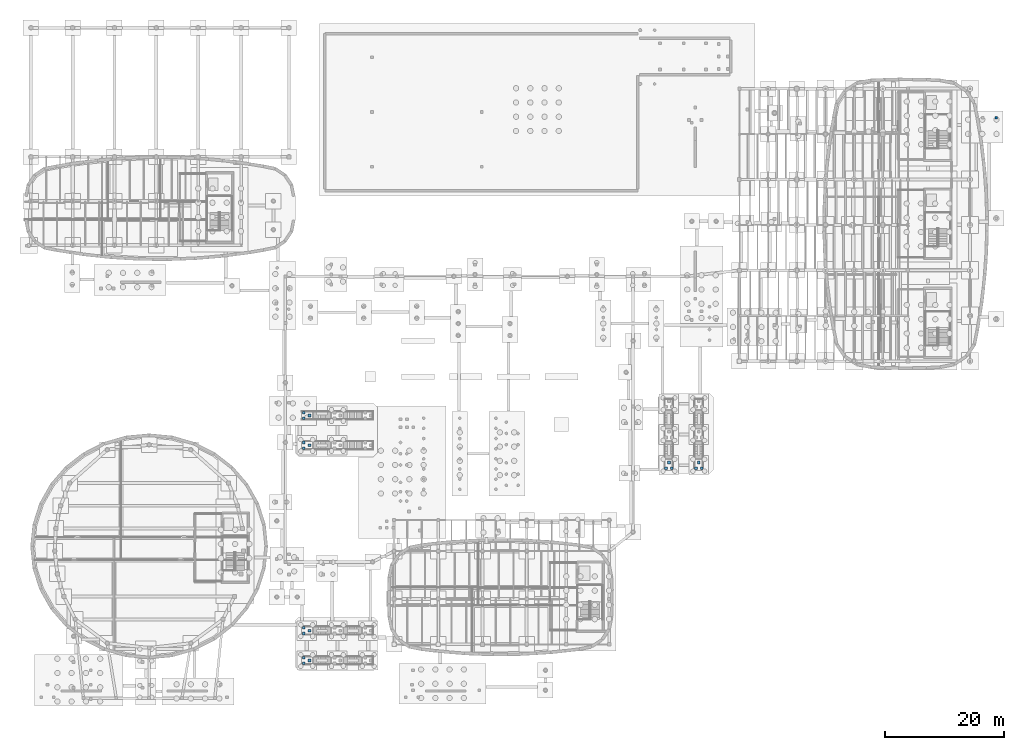
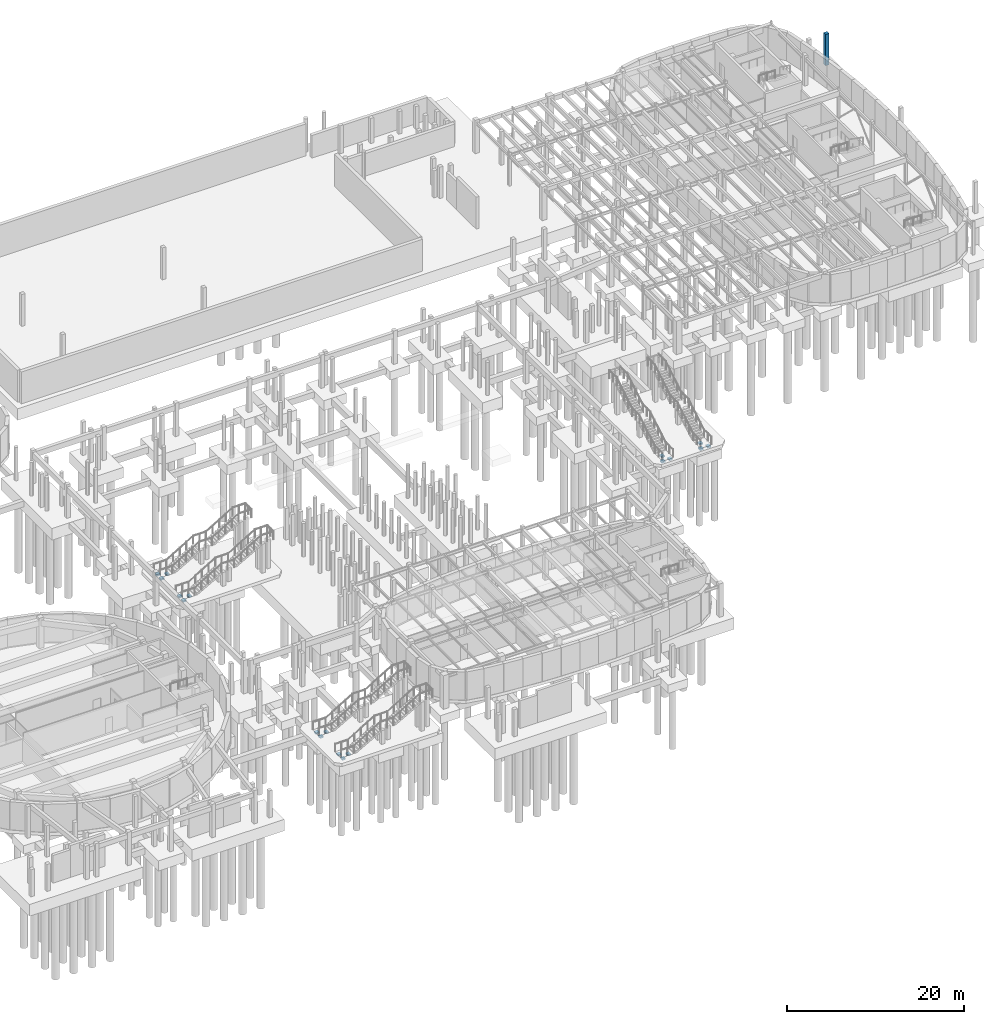
# One storey, part 25 of 45: 19 columns.
"""IFC4 building model written with IfcOpenShell, lengths in metres."""

from ifc_helpers import new_model, si_unit, direction, frame, origin, origin_2d, place, context, subcontext, project, spatial, rectangle, extrude, material, material_profile, profile_set, type_object, element, save


model = new_model("IFC4")

# Units and contexts
model_context = context("Model", 3, precision=1e-05, world=origin(), true_north=direction((0.0, 1.0)))
body_context = subcontext(model_context, "Body", "Model", "MODEL_VIEW")
ifc_project = project(units=[si_unit("LENGTHUNIT", "METRE"), si_unit("AREAUNIT", "SQUARE_METRE"), si_unit("VOLUMEUNIT", "CUBIC_METRE"), si_unit("PLANEANGLEUNIT", "RADIAN"), si_unit("MASSUNIT", "GRAM", prefix="KILO")], contexts=[model_context])

# Site, building, storey
site_placement = place(None, origin())
site = spatial("IfcSite", under=ifc_project, at=site_placement, CompositionType="ELEMENT")
building_placement = place(site_placement, origin())
building = spatial("IfcBuilding", under=site, at=building_placement, Name="Corveleigh Park Community Centre", CompositionType="ELEMENT")
storey_placement = place(building_placement, frame((0.0, 0.0, -4.199951171875)))
storey = spatial("IfcBuildingStorey", under=building, at=storey_placement, Name="B1", CompositionType="ELEMENT", Elevation=-4.199951171875)

# Columns
ifc_material = material(Name="Concrete C40/50", Category="concrete")
ifc_material_profile = material_profile(ifc_material, rectangle(XDim=0.449951171875, YDim=0.449951171875, at=origin_2d()), Name="RC-450x450", Category="concrete")
ifc_profile_set = profile_set([ifc_material_profile], Name="Concrete C40/50")
column_type = type_object("IfcColumnType", Name="COL-RC-450x450", PredefinedType="COLUMN", material=ifc_profile_set)
for number, where, z_axis, x_axis, name in (
    (1, (56.89990234375, 8.02001953125, -0.4150390625), (0.0, 0.0, 1.0), (1.0, 0.0, 0.0), "Promenade ST7 landing pier 1"),
    (2, (56.89990234375, 8.97998046875, -0.4150390625), (0.0, 0.0, 1.0), (1.0, 0.0, 0.0), "Promenade ST7 landing pier 2"),
    (3, (57.85009765625, 8.5, -0.4150390625), (0.0, 0.0, 1.0), (1.0, 0.0, 0.0), "Promenade ST7 landing pier 3"),
    (4, (56.89990234375, 13.02001953125, -0.4150390625), (0.0, 0.0, 1.0), (1.0, 0.0, 0.0), "Promenade ST8 landing pier 10"),
    (5, (56.89990234375, 13.97998046875, -0.4150390625), (0.0, 0.0, 1.0), (1.0, 0.0, 0.0), "Promenade ST8 landing pier 11"),
    (6, (57.85009765625, 13.5, -0.4150390625), (0.0, 0.0, 1.0), (1.0, 0.0, 0.0), "Promenade ST8 landing pier 12"),
    (7, (56.89990234375, 44.02001953125, -0.4150390625), (0.0, 0.0, 1.0), (1.0, 0.0, 0.0), "Promenade ST9 landing pier 19"),
    (8, (56.89990234375, 44.97998046875, -0.4150390625), (0.0, 0.0, 1.0), (1.0, 0.0, 0.0), "Promenade ST9 landing pier 20"),
    (9, (57.85009765625, 44.5, -0.4150390625), (0.0, 0.0, 1.0), (1.0, 0.0, 0.0), "Promenade ST9 landing pier 21"),
    (10, (56.89990234375, 49.02001953125, -0.4150390625), (0.0, 0.0, 1.0), (1.0, 0.0, 0.0), "Promenade ST10 landing pier 28"),
    (11, (56.89990234375, 49.97998046875, -0.4150390625), (0.0, 0.0, 1.0), (1.0, 0.0, 0.0), "Promenade ST10 landing pier 29"),
    (12, (57.85009765625, 49.5, -0.4150390625), (0.0, 0.0, 1.0), (1.0, 0.0, 0.0), "Promenade ST10 landing pier 30"),
    (13, (118.47998046875, 40.699951171875, -0.4150390625), (0.0, 0.0, 1.0), (1.0, 0.0, 0.0), "Promenade ST11 landing pier 37"),
    (14, (117.52001953125, 40.699951171875, -0.4150390625), (0.0, 0.0, 1.0), (1.0, 0.0, 0.0), "Promenade ST11 landing pier 38"),
    (15, (118.0, 41.64990234375, -0.4150390625), (0.0, 0.0, 1.0), (1.0, 0.0, 0.0), "Promenade ST11 landing pier 39"),
    (16, (123.47998046875, 40.699951171875, -0.4150390625), (0.0, 0.0, 1.0), (1.0, 0.0, 0.0), "Promenade ST12 landing pier 46"),
    (17, (122.52001953125, 40.699951171875, -0.4150390625), (0.0, 0.0, 1.0), (1.0, 0.0, 0.0), "Promenade ST12 landing pier 47"),
    (18, (123.0, 41.64990234375, -0.4150390625), (0.0, 0.0, 1.0), (1.0, 0.0, 0.0), "Promenade ST12 landing pier 48"),
):
    element("IfcColumn", number, at=place(storey_placement, frame(where, z_axis=z_axis, x_axis=x_axis)), inside=storey, type_object=column_type, Name=name, PredefinedType="COLUMN", context=body_context, shape_type="SweptSolid", body=[
        extrude(rectangle(XDim=0.449951171875, YDim=0.449951171875, at=origin_2d()), origin(), (0.0, 0.0, 1.0), 0.218994140625),
    ])
column_placement = place(storey_placement, frame((172.781982421875, 99.35693359375, -0.4150390625), z_axis=(0.0, 0.0, 1.0), x_axis=(1.0, 0.0, 0.0)))
element("IfcColumn", 19, at=column_placement, inside=storey, type_object=column_type, Name="External deck support pier 179 B1", PredefinedType="COLUMN", context=body_context, shape_type="SweptSolid", body=[
    extrude(rectangle(XDim=0.449951171875, YDim=0.449951171875, at=origin_2d()), origin(), (0.0, 0.0, 1.0), 4.3330078125),
])

save(model, "model.ifc")
